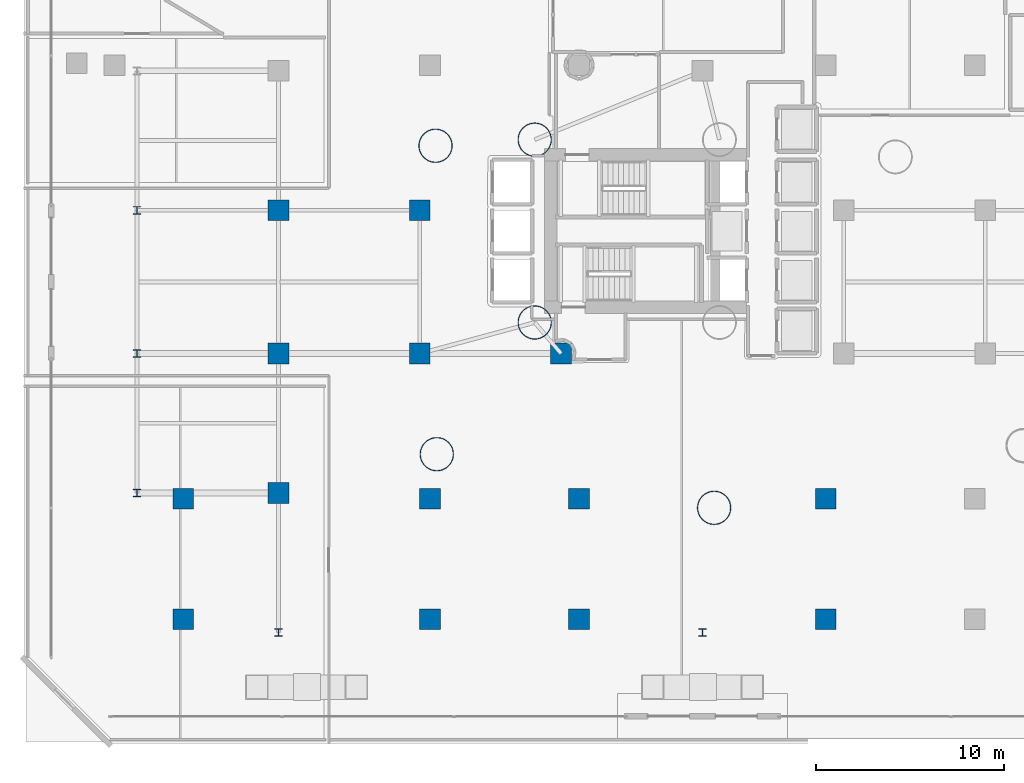
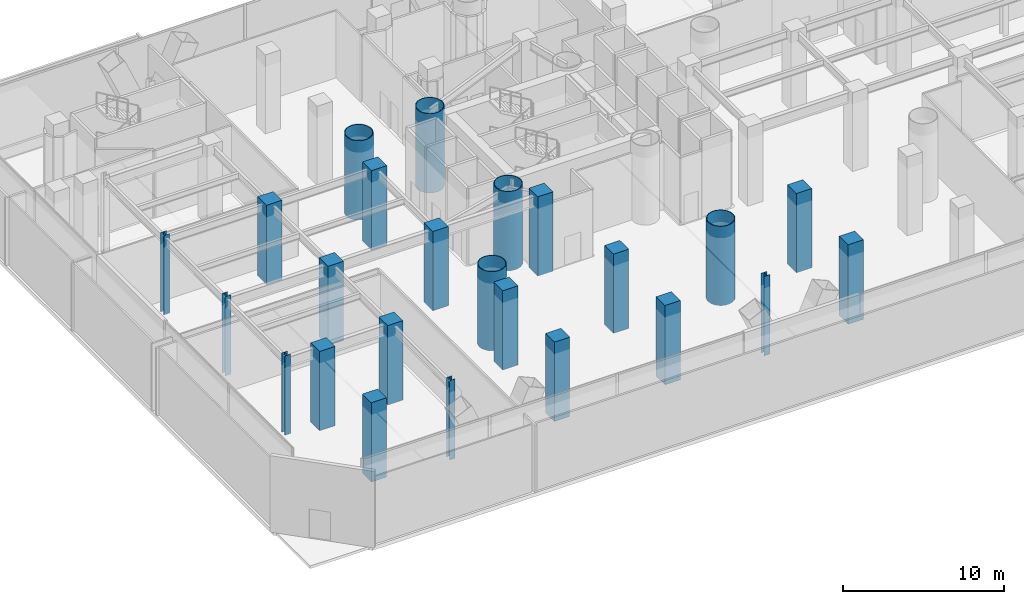
# One storey, part 1 of 40: 24 columns.
"""IFC4 building model written with IfcOpenShell, lengths in metres."""

from ifc_helpers import new_model, si_unit, direction, frame, origin, origin_2d, place, context, subcontext, project, spatial, rectangle, hollow_circle, i_section, extrude, material, material_profile, profile_set, type_object, element, save


model = new_model("IFC4")

# Units and contexts
model_context = context("Model", 3, precision=1e-05, world=origin(), true_north=direction((0.0, 1.0)))
body_context = subcontext(model_context, "Body", "Model", "MODEL_VIEW")
ifc_project = project(units=[si_unit("LENGTHUNIT", "METRE"), si_unit("AREAUNIT", "SQUARE_METRE"), si_unit("VOLUMEUNIT", "CUBIC_METRE"), si_unit("PLANEANGLEUNIT", "RADIAN"), si_unit("MASSUNIT", "GRAM", prefix="KILO")], contexts=[model_context])

# Site, building, storey
site_placement = place(None, origin())
site = spatial("IfcSite", under=ifc_project, at=site_placement, CompositionType="ELEMENT")
building_placement = place(site_placement, origin())
building = spatial("IfcBuilding", under=site, at=building_placement, Name="Qianvela Tower", CompositionType="ELEMENT")
storey_placement = place(building_placement, origin())
storey = spatial("IfcBuildingStorey", under=building, at=storey_placement, Name="L00", CompositionType="ELEMENT", Elevation=0.0)

# Columns
ifc_material_1 = material(Name="Steel Q420GJC", Category="steel")
ifc_material_profile_1 = material_profile(ifc_material_1, hollow_circle(Radius=0.89990234375, WallThickness=0.044921875, at=origin_2d()), Name="CFT-1800x45")
ifc_profile_set_1 = profile_set([ifc_material_profile_1], Name="Steel Q420GJC")
column_type_1 = type_object("IfcColumnType", Name="COL-CFT-1800x45", PredefinedType="COLUMN", material=ifc_profile_set_1)
for number, where, z_axis, x_axis, name in (
    (1, (28.60009765625, 33.550048828125, 0.0), (0.0, 0.0, 1.0), (1.0, 0.0, 0.0), "L00 Core Corner Mega-Column CC-NW"),
    (2, (28.60009765625, 23.85009765625, 0.0), (0.0, 0.0, 1.0), (1.0, 0.0, 0.0), "L00 Core Corner Mega-Column CC-SW"),
    (3, (23.337890625, 33.22802734375, 0.0), (0.0, 0.0, 1.0), (1.0, 0.0, 0.0), "L00 Tower Base CFT Mega-Column C4"),
    (4, (23.404052734375, 16.860107421875, 0.0), (0.0, 0.0, 1.0), (1.0, 0.0, 0.0), "L00 Tower Base CFT Mega-Column C5"),
    (5, (38.1201171875, 14.01611328125, 0.0), (0.0, 0.0, 1.0), (1.0, 0.0, 0.0), "L00 Tower Base CFT Mega-Column C6"),
):
    element("IfcColumn", number, at=place(storey_placement, frame(where, z_axis=z_axis, x_axis=x_axis)), inside=storey, type_object=column_type_1, Name=name, PredefinedType="COLUMN", context=body_context, shape_type="SweptSolid", body=[
        extrude(hollow_circle(Radius=0.89990234375, WallThickness=0.044921875, at=origin_2d()), origin(), (0.0, 0.0, 1.0), 6.0),
    ])
ifc_material_2 = material(Name="Steel Q355B", Category="steel")
ifc_material_profile_2 = material_profile(ifc_material_2, i_section(OverallWidth=0.39990234375, OverallDepth=0.39990234375, WebThickness=0.012939453125, FlangeThickness=0.02099609375, at=origin_2d()), Name="HW400x400x13x21")
ifc_profile_set_2 = profile_set([ifc_material_profile_2], Name="Steel Q355B")
column_type_2 = type_object("IfcColumnType", Name="COL-HW-400", PredefinedType="COLUMN", material=ifc_profile_set_2)
for number, where, z_axis, x_axis, name in (
    (6, (7.5, 14.800048828125, 0.0), (0.0, 0.0, 1.0), (1.0, 0.0, 0.0), "L00 Podium Grid Column P01"),
    (7, (7.5, 22.199951171875, 0.0), (0.0, 0.0, 1.0), (1.0, 0.0, 0.0), "L00 Podium Grid Column P02"),
    (8, (7.5, 29.800048828125, 0.0), (0.0, 0.0, 1.0), (1.0, 0.0, 0.0), "L00 Podium Grid Column P03"),
    (9, (15.0, 7.39990234375, 0.0), (0.0, 0.0, 1.0), (1.0, 0.0, 0.0), "L00 Podium Grid Column P05"),
    (10, (37.5, 7.39990234375, 0.0), (0.0, 0.0, 1.0), (1.0, 0.0, 0.0), "L00 Podium Grid Column P22"),
):
    element("IfcColumn", number, at=place(storey_placement, frame(where, z_axis=z_axis, x_axis=x_axis)), inside=storey, type_object=column_type_2, Name=name, PredefinedType="COLUMN", context=body_context, shape_type="SweptSolid", body=[
        extrude(i_section(OverallWidth=0.39990234375, OverallDepth=0.39990234375, WebThickness=0.012939453125, FlangeThickness=0.02099609375, at=origin_2d()), origin(), (0.0, 0.0, 1.0), 6.0),
    ])
ifc_material_3 = material(Name="Concrete C60", Category="concrete")
ifc_material_profile_3 = material_profile(ifc_material_3, rectangle(XDim=1.10009765625, YDim=1.10009765625, at=origin_2d()), Name="RC-COL-1100x1100")
ifc_profile_set_3 = profile_set([ifc_material_profile_3], Name="Concrete C60")
column_type_3 = type_object("IfcColumnType", Name="COL-RC-1100", PredefinedType="COLUMN", material=ifc_profile_set_3)
for number, where, z_axis, x_axis, name in (
    (11, (9.955322265625, 8.10009765625, 0.0), (0.0, 0.0, 1.0), (1.0, 0.0, 0.0), "L00 Concourse Colonnade Column VC-S1-L-B1"),
    (12, (9.955322265625, 14.5, 0.0), (0.0, 0.0, 1.0), (1.0, 0.0, 0.0), "L00 Concourse Colonnade Column VC-S1-L-B2"),
    (13, (23.044677734375, 8.10009765625, 0.0), (0.0, 0.0, 1.0), (1.0, 0.0, 0.0), "L00 Concourse Colonnade Column VC-S1-R-B1"),
    (14, (23.044677734375, 14.5, 0.0), (0.0, 0.0, 1.0), (1.0, 0.0, 0.0), "L00 Concourse Colonnade Column VC-S1-R-B2"),
    (15, (30.955322265625, 8.10009765625, 0.0), (0.0, 0.0, 1.0), (1.0, 0.0, 0.0), "L00 Concourse Colonnade Column VC-S2-L-B1"),
    (16, (30.955322265625, 14.5, 0.0), (0.0, 0.0, 1.0), (1.0, 0.0, 0.0), "L00 Concourse Colonnade Column VC-S2-L-B2"),
    (17, (44.044677734375, 8.10009765625, 0.0), (0.0, 0.0, 1.0), (1.0, 0.0, 0.0), "L00 Concourse Colonnade Column VC-S2-R-B1"),
    (18, (44.044677734375, 14.5, 0.0), (0.0, 0.0, 1.0), (1.0, 0.0, 0.0), "L00 Concourse Colonnade Column VC-S2-R-B2"),
    (19, (15.0, 14.800048828125, 0.0), (0.0, 0.0, 1.0), (1.0, 0.0, 0.0), "L00 Podium Grid Column P06"),
    (20, (15.0, 22.199951171875, 0.0), (0.0, 0.0, 1.0), (1.0, 0.0, 0.0), "L00 Podium Grid Column P07"),
    (21, (15.0, 29.800048828125, 0.0), (0.0, 0.0, 1.0), (1.0, 0.0, 0.0), "L00 Podium Grid Column P08"),
    (22, (22.5, 22.199951171875, 0.0), (0.0, 0.0, 1.0), (1.0, 0.0, 0.0), "L00 Podium Grid Column P13"),
    (23, (22.5, 29.800048828125, 0.0), (0.0, 0.0, 1.0), (1.0, 0.0, 0.0), "L00 Podium Grid Column P14"),
    (24, (30.0, 22.199951171875, 0.0), (0.0, 0.0, 1.0), (1.0, 0.0, 0.0), "L00 Podium Grid Column P19"),
):
    element("IfcColumn", number, at=place(storey_placement, frame(where, z_axis=z_axis, x_axis=x_axis)), inside=storey, type_object=column_type_3, Name=name, PredefinedType="COLUMN", context=body_context, shape_type="SweptSolid", body=[
        extrude(rectangle(XDim=1.10009765625, YDim=1.10009765625, at=origin_2d()), origin(), (0.0, 0.0, 1.0), 6.0),
    ])

save(model, "model.ifc")
